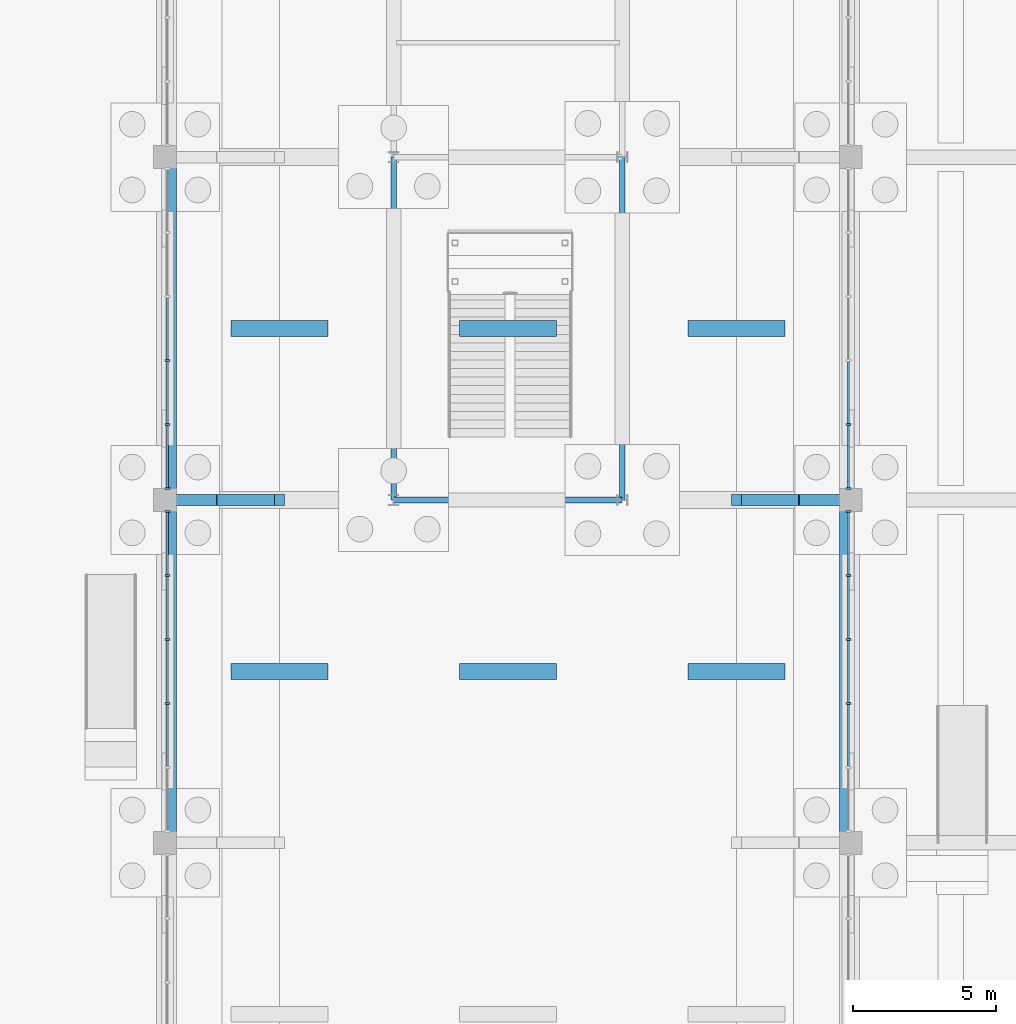
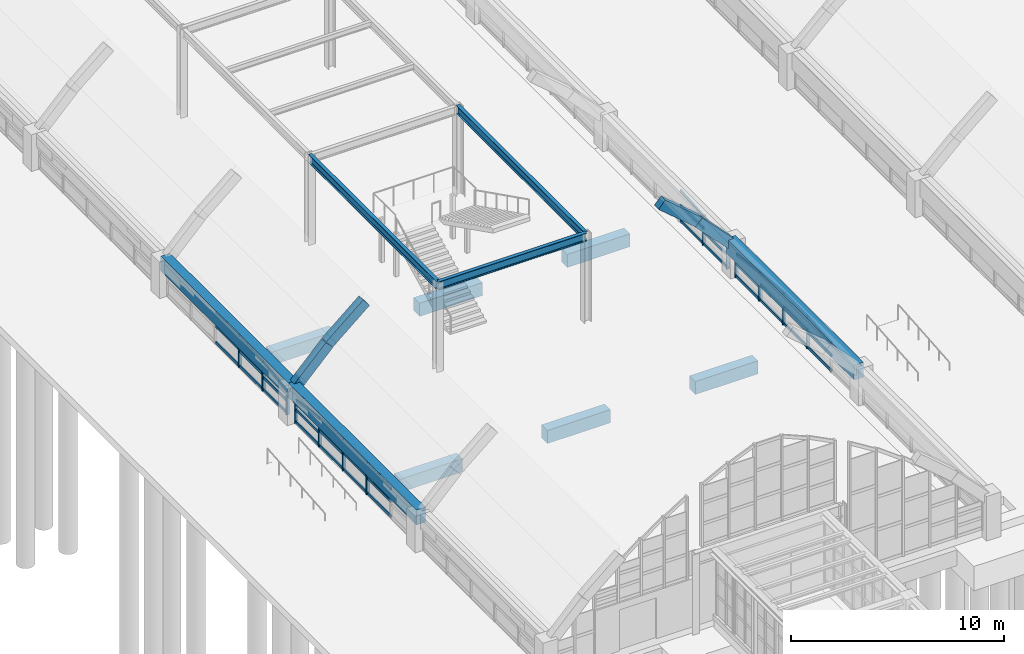
# One storey, part 42 of 129: 52 members, 16 beams, 4 elements without a shape of their own.
"""IFC4 building model written with IfcOpenShell, lengths in metres."""

from ifc_helpers import new_model, si_unit, direction, frame, origin, origin_2d, place, context, subcontext, project, spatial, rectangle, i_section, extrude, material, layer, layer_set, material_profile, profile_set, type_object, element, aggregate, save


model = new_model("IFC4")

# Units and contexts
model_context = context("Model", 3, precision=1e-05, world=origin(), true_north=direction((0.0, 1.0)))
body_context = subcontext(model_context, "Body", "Model", "MODEL_VIEW")
ifc_project = project(units=[si_unit("LENGTHUNIT", "METRE"), si_unit("AREAUNIT", "SQUARE_METRE"), si_unit("VOLUMEUNIT", "CUBIC_METRE"), si_unit("PLANEANGLEUNIT", "RADIAN"), si_unit("MASSUNIT", "GRAM", prefix="KILO")], contexts=[model_context])

# Site, building, storey
site_placement = place(None, origin())
site = spatial("IfcSite", under=ifc_project, at=site_placement, CompositionType="ELEMENT")
building_placement = place(site_placement, origin())
building = spatial("IfcBuilding", under=site, at=building_placement, Name="Sitalva Quay Ferry Terminal", CompositionType="ELEMENT")
storey_placement = place(building_placement, origin())
storey = spatial("IfcBuildingStorey", under=building, at=storey_placement, Name="L01", CompositionType="ELEMENT", Elevation=0.0)

# Beams
ifc_material_1 = material(Name="Concrete C40/50", Category="concrete")
ifc_material_profile_1 = material_profile(ifc_material_1, rectangle(XDim=0.39990234375, YDim=0.550048828125, at=origin_2d()), Name="RC400x550")
ifc_profile_set_1 = profile_set([ifc_material_profile_1], Name="Concrete C40/50")
beam_type_1 = type_object("IfcBeamType", Name="Beam_Arch_RC400x550", PredefinedType="BEAM", material=ifc_profile_set_1)
beam_1_placement = place(storey_placement, frame((8.0, 30.0, 1.594482421875), z_axis=(0.693983482825, 0.0, 0.719990920475), x_axis=(0.0, 1.0, 0.0)))
element("IfcBeam", 1, at=beam_1_placement, inside=storey, type_object=beam_type_1, Name="Vault V2 transverse arch rib 3.1", PredefinedType="BEAM", context=body_context, shape_type="SweptSolid", body=[
    extrude(rectangle(XDim=0.39990234375, YDim=0.550048828125, at=origin_2d()), origin(), (0.0, 0.0, 1.0), 2.8818359375),
])
for number, where, z_axis, x_axis, name in (
    (2, (10.0, 30.0, 3.689697265625), (0.761351968138, 0.0, 0.648338785368), (0.0, 1.0, 0.0), "Vault V2 transverse arch rib 3.2"),
    (3, (28.0, 30.0, 5.392822265625), (0.761351968138, 0.0, -0.648338785368), (0.0, 1.0, 0.0), "Vault V2 transverse arch rib 3.11"),
):
    element("IfcBeam", number, at=place(storey_placement, frame(where, z_axis=z_axis, x_axis=x_axis)), inside=storey, type_object=beam_type_1, Name=name, PredefinedType="BEAM", context=body_context, shape_type="SweptSolid", body=[
        extrude(rectangle(XDim=0.39990234375, YDim=0.550048828125, at=origin_2d()), origin(), (0.0, 0.0, 1.0), 2.626953125),
    ])
beam_2_placement = place(storey_placement, frame((30.0, 30.0, 3.66943359375), z_axis=(0.693983482825, 0.0, -0.719990920475), x_axis=(0.0, 1.0, 0.0)))
element("IfcBeam", 4, at=beam_2_placement, inside=storey, type_object=beam_type_1, Name="Vault V2 transverse arch rib 3.12", PredefinedType="BEAM", context=body_context, shape_type="SweptSolid", body=[
    extrude(rectangle(XDim=0.39990234375, YDim=0.550048828125, at=origin_2d()), origin(), (0.0, 0.0, 1.0), 2.8818359375),
])
ifc_material_2 = material(Name="Concrete C40/50", Category="concrete")
ifc_material_profile_2 = material_profile(ifc_material_2, rectangle(XDim=0.5, YDim=0.85009765625, at=origin_2d()), Name="RC500x850")
ifc_profile_set_2 = profile_set([ifc_material_profile_2], Name="Concrete C40/50")
beam_type_2 = type_object("IfcBeamType", Name="Beam_Edge_RC500x850", PredefinedType="BEAM", material=ifc_profile_set_2)
for number, where, z_axis, x_axis, name in (
    (5, (8.14990234375, 18.0, 1.675048828125), (0.0, 1.0, 0.0), (-1.0, 0.0, 0.0), "Vault V2 longitudinal springing edge beam W bay 2"),
    (6, (8.14990234375, 30.0, 1.675048828125), (0.0, 1.0, 0.0), (-1.0, 0.0, 0.0), "Vault V2 longitudinal springing edge beam W bay 3"),
    (7, (31.85009765625, 18.0, 1.675048828125), (0.0, 1.0, 0.0), (-1.0, 0.0, 0.0), "Vault V2 longitudinal springing edge beam E bay 2"),
):
    element("IfcBeam", number, at=place(storey_placement, frame(where, z_axis=z_axis, x_axis=x_axis)), inside=storey, type_object=beam_type_2, Name=name, PredefinedType="BEAM", context=body_context, shape_type="SweptSolid", body=[
        extrude(rectangle(XDim=0.5, YDim=0.85009765625, at=origin_2d()), origin(), (0.0, 0.0, 1.0), 12.0),
    ])
ifc_material_3 = material(Name="Structural Steel S355JR", Category="steel")
ifc_material_profile_3 = material_profile(ifc_material_3, i_section(OverallWidth=0.194091796875, OverallDepth=0.468994140625, WebThickness=0.0126953125, FlangeThickness=0.0205078125, FilletRadius=0.013916015625, at=origin_2d()), Name="W460x106")
ifc_profile_set_3 = profile_set([ifc_material_profile_3], Name="Structural Steel S355JR")
beam_type_3 = type_object("IfcBeamType", Name="Girder_W460x106", PredefinedType="USERDEFINED", material=ifc_profile_set_3)
beam_3_placement = place(storey_placement, frame((16.0, 30.0, 4.885498046875), z_axis=(1.0, 0.0, 0.0), x_axis=(0.0, 1.0, 0.0)))
element("IfcBeam", 8, at=beam_3_placement, inside=storey, type_object=beam_type_3, Name="L01 Primary X girder 0111", ObjectType="GIRDER", PredefinedType="USERDEFINED", context=body_context, shape_type="SweptSolid", body=[
    extrude(i_section(OverallWidth=0.194091796875, OverallDepth=0.468994140625, WebThickness=0.0126953125, FlangeThickness=0.0205078125, FilletRadius=0.013916015625, at=origin_2d()), origin(), (0.0, 0.0, 1.0), 8.0),
])
for number, where, z_axis, x_axis, name in (
    (9, (16.0, 30.0, 4.885498046875), (0.0, 1.0, 0.0), (-1.0, 0.0, 0.0), "L01 Primary Y girder 0116"),
    (10, (24.0, 30.0, 4.885498046875), (0.0, 1.0, 0.0), (-1.0, 0.0, 0.0), "L01 Primary Y girder 0120"),
):
    element("IfcBeam", number, at=place(storey_placement, frame(where, z_axis=z_axis, x_axis=x_axis)), inside=storey, type_object=beam_type_3, Name=name, ObjectType="GIRDER", PredefinedType="USERDEFINED", context=body_context, shape_type="SweptSolid", body=[
        extrude(i_section(OverallWidth=0.194091796875, OverallDepth=0.468994140625, WebThickness=0.0126953125, FlangeThickness=0.0205078125, FilletRadius=0.013916015625, at=origin_2d()), origin(), (0.0, 0.0, 1.0), 12.0),
    ])

# Curtain wall, members
ifc_material_4 = material(Name="Anodised Aluminium & Low-E Glazing", Category="aluminium")
ifc_layer = layer(ifc_material_4, 0.159912109375)
ifc_layer_set = layer_set([ifc_layer], Name="Anodised Aluminium & Low-E Glazing")
curtain_wall_type = type_object("IfcCurtainWallType", Name="CW_VaultArch_Glazed", PredefinedType="USERDEFINED", material=ifc_layer_set)
curtain_wall_1_placement = place(storey_placement, origin())
curtain_wall_1 = element("IfcCurtainWall", 11, at=curtain_wall_1_placement, inside=storey, type_object=curtain_wall_type, Name="V2-W shallow-arch base glazing (CW-L01-015)", ObjectType="CURTAIN_WALL", PredefinedType="USERDEFINED")
ifc_material_5 = material(Name="Anodised Aluminium 6063-T6", Category="aluminium")
ifc_material_profile_4 = material_profile(ifc_material_5, rectangle(XDim=0.070068359375, YDim=0.181884765625, at=origin_2d()), Name="ALU70x182")
ifc_profile_set_4 = profile_set([ifc_material_profile_4], Name="Anodised Aluminium 6063-T6")
member_type_1 = type_object("IfcMemberType", Name="Mullion_Alu_65x170", PredefinedType="MULLION", material=ifc_profile_set_4)
member_1_placement = place(storey_placement, frame((8.080078125, 22.8798828125, 0.0), z_axis=(0.0, 0.0, 1.0), x_axis=(0.0, 1.0, 0.0)))
member_1 = element("IfcMember", 12, at=member_1_placement, type_object=member_type_1, Name="CW-L01-015-M2", PredefinedType="MULLION", context=body_context, shape_type="SweptSolid", body=[
    extrude(rectangle(XDim=0.070068359375, YDim=0.181884765625, at=origin_2d()), origin(), (0.0, 0.0, 1.0), 1.86083984375),
])
member_2_placement = place(storey_placement, frame((8.080078125, 25.1201171875, 0.0), z_axis=(0.0, 0.0, 1.0), x_axis=(0.0, 1.0, 0.0)))
member_2 = element("IfcMember", 13, at=member_2_placement, type_object=member_type_1, Name="CW-L01-015-M3", PredefinedType="MULLION", context=body_context, shape_type="SweptSolid", body=[
    extrude(rectangle(XDim=0.070068359375, YDim=0.181884765625, at=origin_2d()), origin(), (0.0, 0.0, 1.0), 1.86083984375),
])
member_3_placement = place(storey_placement, frame((8.080078125, 27.360107421875, 0.0), z_axis=(0.0, 0.0, 1.0), x_axis=(0.0, 1.0, 0.0)))
member_3 = element("IfcMember", 14, at=member_3_placement, type_object=member_type_1, Name="CW-L01-015-M4", PredefinedType="MULLION", context=body_context, shape_type="SweptSolid", body=[
    extrude(rectangle(XDim=0.070068359375, YDim=0.181884765625, at=origin_2d()), origin(), (0.0, 0.0, 1.0), 1.707275390625),
])
member_4_placement = place(storey_placement, frame((8.080078125, 29.60009765625, 0.0), z_axis=(0.0, 0.0, 1.0), x_axis=(0.0, 1.0, 0.0)))
member_4 = element("IfcMember", 15, at=member_4_placement, type_object=member_type_1, Name="CW-L01-015-M5", PredefinedType="MULLION", context=body_context, shape_type="SweptSolid", body=[
    extrude(rectangle(XDim=0.070068359375, YDim=0.181884765625, at=origin_2d()), origin(), (0.0, 0.0, 1.0), 1.39990234375),
])

curtain_wall_2_placement = place(storey_placement, origin())
curtain_wall_2 = element("IfcCurtainWall", 16, at=curtain_wall_2_placement, inside=storey, type_object=curtain_wall_type, Name="V2-E shallow-arch base glazing (CW-L01-016)", ObjectType="CURTAIN_WALL", PredefinedType="USERDEFINED")
member_5_placement = place(storey_placement, frame((31.919921875, 22.8798828125, 0.0), z_axis=(0.0, 0.0, 1.0), x_axis=(0.0, 1.0, 0.0)))
member_5 = element("IfcMember", 17, at=member_5_placement, type_object=member_type_1, Name="CW-L01-016-M2", PredefinedType="MULLION", context=body_context, shape_type="SweptSolid", body=[
    extrude(rectangle(XDim=0.070068359375, YDim=0.181884765625, at=origin_2d()), origin(), (0.0, 0.0, 1.0), 1.86083984375),
])
member_6_placement = place(storey_placement, frame((31.919921875, 25.1201171875, 0.0), z_axis=(0.0, 0.0, 1.0), x_axis=(0.0, 1.0, 0.0)))
member_6 = element("IfcMember", 18, at=member_6_placement, type_object=member_type_1, Name="CW-L01-016-M3", PredefinedType="MULLION", context=body_context, shape_type="SweptSolid", body=[
    extrude(rectangle(XDim=0.070068359375, YDim=0.181884765625, at=origin_2d()), origin(), (0.0, 0.0, 1.0), 1.86083984375),
])
member_7_placement = place(storey_placement, frame((31.919921875, 27.360107421875, 0.0), z_axis=(0.0, 0.0, 1.0), x_axis=(0.0, 1.0, 0.0)))
member_7 = element("IfcMember", 19, at=member_7_placement, type_object=member_type_1, Name="CW-L01-016-M4", PredefinedType="MULLION", context=body_context, shape_type="SweptSolid", body=[
    extrude(rectangle(XDim=0.070068359375, YDim=0.181884765625, at=origin_2d()), origin(), (0.0, 0.0, 1.0), 1.707275390625),
])
member_8_placement = place(storey_placement, frame((31.919921875, 29.60009765625, 0.0), z_axis=(0.0, 0.0, 1.0), x_axis=(0.0, 1.0, 0.0)))
member_8 = element("IfcMember", 20, at=member_8_placement, type_object=member_type_1, Name="CW-L01-016-M5", PredefinedType="MULLION", context=body_context, shape_type="SweptSolid", body=[
    extrude(rectangle(XDim=0.070068359375, YDim=0.181884765625, at=origin_2d()), origin(), (0.0, 0.0, 1.0), 1.39990234375),
])

curtain_wall_3_placement = place(storey_placement, origin())
curtain_wall_3 = element("IfcCurtainWall", 21, at=curtain_wall_3_placement, inside=storey, type_object=curtain_wall_type, Name="V2-W shallow-arch base glazing (CW-L01-018)", ObjectType="CURTAIN_WALL", PredefinedType="USERDEFINED")
member_9_placement = place(storey_placement, frame((8.080078125, 30.39990234375, 0.0), z_axis=(0.0, 0.0, 1.0), x_axis=(0.0, 1.0, 0.0)))
member_9 = element("IfcMember", 22, at=member_9_placement, type_object=member_type_1, Name="CW-L01-018-M0", PredefinedType="MULLION", context=body_context, shape_type="SweptSolid", body=[
    extrude(rectangle(XDim=0.070068359375, YDim=0.181884765625, at=origin_2d()), origin(), (0.0, 0.0, 1.0), 1.39990234375),
])
member_10_placement = place(storey_placement, frame((8.080078125, 32.639892578125, 0.0), z_axis=(0.0, 0.0, 1.0), x_axis=(0.0, 1.0, 0.0)))
member_10 = element("IfcMember", 23, at=member_10_placement, type_object=member_type_1, Name="CW-L01-018-M1", PredefinedType="MULLION", context=body_context, shape_type="SweptSolid", body=[
    extrude(rectangle(XDim=0.070068359375, YDim=0.181884765625, at=origin_2d()), origin(), (0.0, 0.0, 1.0), 1.707275390625),
])
member_11_placement = place(storey_placement, frame((8.080078125, 34.8798828125, 0.0), z_axis=(0.0, 0.0, 1.0), x_axis=(0.0, 1.0, 0.0)))
member_11 = element("IfcMember", 24, at=member_11_placement, type_object=member_type_1, Name="CW-L01-018-M2", PredefinedType="MULLION", context=body_context, shape_type="SweptSolid", body=[
    extrude(rectangle(XDim=0.070068359375, YDim=0.181884765625, at=origin_2d()), origin(), (0.0, 0.0, 1.0), 1.86083984375),
])

curtain_wall_4_placement = place(storey_placement, origin())
curtain_wall_4 = element("IfcCurtainWall", 25, at=curtain_wall_4_placement, inside=storey, type_object=curtain_wall_type, Name="V2-E shallow-arch base glazing (CW-L01-019)", ObjectType="CURTAIN_WALL", PredefinedType="USERDEFINED")
member_12_placement = place(storey_placement, frame((31.919921875, 30.39990234375, 0.0), z_axis=(0.0, 0.0, 1.0), x_axis=(0.0, 1.0, 0.0)))
member_12 = element("IfcMember", 26, at=member_12_placement, type_object=member_type_1, Name="CW-L01-019-M0", PredefinedType="MULLION", context=body_context, shape_type="SweptSolid", body=[
    extrude(rectangle(XDim=0.070068359375, YDim=0.181884765625, at=origin_2d()), origin(), (0.0, 0.0, 1.0), 1.39990234375),
])
member_13_placement = place(storey_placement, frame((31.919921875, 32.639892578125, 0.0), z_axis=(0.0, 0.0, 1.0), x_axis=(0.0, 1.0, 0.0)))
member_13 = element("IfcMember", 27, at=member_13_placement, type_object=member_type_1, Name="CW-L01-019-M1", PredefinedType="MULLION", context=body_context, shape_type="SweptSolid", body=[
    extrude(rectangle(XDim=0.070068359375, YDim=0.181884765625, at=origin_2d()), origin(), (0.0, 0.0, 1.0), 1.707275390625),
])

# Beams
ifc_material_6 = material(Name="Concrete C35/45", Category="concrete")
ifc_material_profile_5 = material_profile(ifc_material_6, rectangle(XDim=0.550048828125, YDim=0.75, at=origin_2d()), Name="RC550x750")
ifc_profile_set_5 = profile_set([ifc_material_profile_5], Name="Concrete C35/45")
beam_type_4 = type_object("IfcBeamType", Name="TBeam_Quay_RC550x750", PredefinedType="T_BEAM", material=ifc_profile_set_5)
for number, where, z_axis, x_axis, name in (
    (28, (10.300048828125, 24.0, -0.824951171875), (1.0, 0.0, 0.0), (0.0, 1.0, 0.0), "L01 Quay deck mid-bay T-beam 0048"),
    (29, (18.300048828125, 24.0, -0.824951171875), (1.0, 0.0, 0.0), (0.0, 1.0, 0.0), "L01 Quay deck mid-bay T-beam 0049"),
    (30, (26.300048828125, 24.0, -0.824951171875), (1.0, 0.0, 0.0), (0.0, 1.0, 0.0), "L01 Quay deck mid-bay T-beam 0050"),
    (31, (10.300048828125, 36.0, -0.824951171875), (1.0, 0.0, 0.0), (0.0, 1.0, 0.0), "L01 Quay deck mid-bay T-beam 0060"),
    (32, (18.300048828125, 36.0, -0.824951171875), (1.0, 0.0, 0.0), (0.0, 1.0, 0.0), "L01 Quay deck mid-bay T-beam 0061"),
    (33, (26.300048828125, 36.0, -0.824951171875), (1.0, 0.0, 0.0), (0.0, 1.0, 0.0), "L01 Quay deck mid-bay T-beam 0062"),
):
    element("IfcBeam", number, at=place(storey_placement, frame(where, z_axis=z_axis, x_axis=x_axis)), inside=storey, type_object=beam_type_4, Name=name, PredefinedType="T_BEAM", context=body_context, shape_type="SweptSolid", body=[
        extrude(rectangle(XDim=0.550048828125, YDim=0.75, at=origin_2d()), origin(), (0.0, 0.0, 1.0), 3.39990234375),
    ])

# Member
ifc_material_7 = material(Name="Anodised Aluminium 6063-T6", Category="aluminium")
ifc_material_profile_6 = material_profile(ifc_material_7, rectangle(XDim=0.074951171875, YDim=0.155029296875, at=origin_2d()), Name="ALU75x155")
ifc_profile_set_6 = profile_set([ifc_material_profile_6], Name="Anodised Aluminium 6063-T6")
member_type_2 = type_object("IfcMemberType", Name="Transom_Alu_70x135", PredefinedType="MULLION", material=ifc_profile_set_6)
member_14_placement = place(storey_placement, frame((8.080078125, 20.675048828125, 0.077392578125), z_axis=(0.0, 1.0, 0.0), x_axis=(-1.0, 0.0, 0.0)))
member_14 = element("IfcMember", 34, at=member_14_placement, type_object=member_type_2, Name="CW-L01-015-T1-0", ObjectType="TRANSOM", PredefinedType="USERDEFINED", context=body_context, shape_type="SweptSolid", body=[
    extrude(rectangle(XDim=0.074951171875, YDim=0.155029296875, at=origin_2d()), origin(), (0.0, 0.0, 1.0), 2.169921875),
])

member_15_placement = place(storey_placement, frame((8.080078125, 20.675048828125, 0.93115234375), z_axis=(0.0, 1.0, 0.0), x_axis=(-1.0, 0.0, 0.0)))
member_15 = element("IfcMember", 35, at=member_15_placement, type_object=member_type_2, Name="CW-L01-015-T1-1", ObjectType="TRANSOM", PredefinedType="USERDEFINED", context=body_context, shape_type="SweptSolid", body=[
    extrude(rectangle(XDim=0.074951171875, YDim=0.155029296875, at=origin_2d()), origin(), (0.0, 0.0, 1.0), 2.169921875),
])

member_16_placement = place(storey_placement, frame((8.080078125, 20.675048828125, 1.629638671875), z_axis=(0.0, 0.997505200677, 0.070593021065), x_axis=(-1.0, 0.0, 0.0)))
member_16 = element("IfcMember", 36, at=member_16_placement, type_object=member_type_2, Name="CW-L01-015-T1-2", ObjectType="TRANSOM", PredefinedType="USERDEFINED", context=body_context, shape_type="SweptSolid", body=[
    extrude(rectangle(XDim=0.074951171875, YDim=0.155029296875, at=origin_2d()), origin(), (0.0, 0.0, 1.0), 2.17529296875),
])

member_17_placement = place(storey_placement, frame((8.080078125, 22.9150390625, 0.077392578125), z_axis=(0.0, 1.0, 0.0), x_axis=(-1.0, 0.0, 0.0)))
member_17 = element("IfcMember", 37, at=member_17_placement, type_object=member_type_2, Name="CW-L01-015-T2-0", ObjectType="TRANSOM", PredefinedType="USERDEFINED", context=body_context, shape_type="SweptSolid", body=[
    extrude(rectangle(XDim=0.074951171875, YDim=0.155029296875, at=origin_2d()), origin(), (0.0, 0.0, 1.0), 2.169921875),
])

member_18_placement = place(storey_placement, frame((8.080078125, 22.9150390625, 1.0078125), z_axis=(0.0, 1.0, 0.0), x_axis=(-1.0, 0.0, 0.0)))
member_18 = element("IfcMember", 38, at=member_18_placement, type_object=member_type_2, Name="CW-L01-015-T2-1", ObjectType="TRANSOM", PredefinedType="USERDEFINED", context=body_context, shape_type="SweptSolid", body=[
    extrude(rectangle(XDim=0.074951171875, YDim=0.155029296875, at=origin_2d()), origin(), (0.0, 0.0, 1.0), 2.169921875),
])

member_19_placement = place(storey_placement, frame((8.080078125, 22.9150390625, 1.783203125), z_axis=(0.0, 1.0, 0.0), x_axis=(-1.0, 0.0, 0.0)))
member_19 = element("IfcMember", 39, at=member_19_placement, type_object=member_type_2, Name="CW-L01-015-T2-2", ObjectType="TRANSOM", PredefinedType="USERDEFINED", context=body_context, shape_type="SweptSolid", body=[
    extrude(rectangle(XDim=0.074951171875, YDim=0.155029296875, at=origin_2d()), origin(), (0.0, 0.0, 1.0), 2.169921875),
])

member_20_placement = place(storey_placement, frame((8.080078125, 25.155029296875, 0.077392578125), z_axis=(0.0, 1.0, 0.0), x_axis=(-1.0, 0.0, 0.0)))
member_20 = element("IfcMember", 40, at=member_20_placement, type_object=member_type_2, Name="CW-L01-015-T3-0", ObjectType="TRANSOM", PredefinedType="USERDEFINED", context=body_context, shape_type="SweptSolid", body=[
    extrude(rectangle(XDim=0.074951171875, YDim=0.155029296875, at=origin_2d()), origin(), (0.0, 0.0, 1.0), 2.169921875),
])

member_21_placement = place(storey_placement, frame((8.080078125, 25.155029296875, 0.93115234375), z_axis=(0.0, 1.0, 0.0), x_axis=(-1.0, 0.0, 0.0)))
member_21 = element("IfcMember", 41, at=member_21_placement, type_object=member_type_2, Name="CW-L01-015-T3-1", ObjectType="TRANSOM", PredefinedType="USERDEFINED", context=body_context, shape_type="SweptSolid", body=[
    extrude(rectangle(XDim=0.074951171875, YDim=0.155029296875, at=origin_2d()), origin(), (0.0, 0.0, 1.0), 2.169921875),
])

member_22_placement = place(storey_placement, frame((8.080078125, 25.155029296875, 1.783203125), z_axis=(0.0, 0.997505200677, -0.070593021065), x_axis=(-1.0, 0.0, 0.0)))
member_22 = element("IfcMember", 42, at=member_22_placement, type_object=member_type_2, Name="CW-L01-015-T3-2", ObjectType="TRANSOM", PredefinedType="USERDEFINED", context=body_context, shape_type="SweptSolid", body=[
    extrude(rectangle(XDim=0.074951171875, YDim=0.155029296875, at=origin_2d()), origin(), (0.0, 0.0, 1.0), 2.17529296875),
])

member_23_placement = place(storey_placement, frame((8.080078125, 27.39501953125, 0.077392578125), z_axis=(0.0, 1.0, 0.0), x_axis=(-1.0, 0.0, 0.0)))
member_23 = element("IfcMember", 43, at=member_23_placement, type_object=member_type_2, Name="CW-L01-015-T4-0", ObjectType="TRANSOM", PredefinedType="USERDEFINED", context=body_context, shape_type="SweptSolid", body=[
    extrude(rectangle(XDim=0.074951171875, YDim=0.155029296875, at=origin_2d()), origin(), (0.0, 0.0, 1.0), 2.169921875),
])

member_24_placement = place(storey_placement, frame((8.080078125, 27.39501953125, 0.777587890625), z_axis=(0.0, 1.0, 0.0), x_axis=(-1.0, 0.0, 0.0)))
member_24 = element("IfcMember", 44, at=member_24_placement, type_object=member_type_2, Name="CW-L01-015-T4-1", ObjectType="TRANSOM", PredefinedType="USERDEFINED", context=body_context, shape_type="SweptSolid", body=[
    extrude(rectangle(XDim=0.074951171875, YDim=0.155029296875, at=origin_2d()), origin(), (0.0, 0.0, 1.0), 2.169921875),
])

member_25_placement = place(storey_placement, frame((8.080078125, 27.39501953125, 1.629638671875), z_axis=(0.0, 0.990131365095, -0.140142355681), x_axis=(-1.0, 0.0, 0.0)))
member_25 = element("IfcMember", 45, at=member_25_placement, type_object=member_type_2, Name="CW-L01-015-T4-2", ObjectType="TRANSOM", PredefinedType="USERDEFINED", context=body_context, shape_type="SweptSolid", body=[
    extrude(rectangle(XDim=0.074951171875, YDim=0.155029296875, at=origin_2d()), origin(), (0.0, 0.0, 1.0), 2.191650390625),
])

aggregate(curtain_wall_1, [member_1, member_2, member_3, member_4, member_14, member_15, member_16, member_17, member_18, member_19, member_20, member_21, member_22, member_23, member_24, member_25])

member_26_placement = place(storey_placement, frame((31.919921875, 20.675048828125, 0.077392578125), z_axis=(0.0, 1.0, 0.0), x_axis=(-1.0, 0.0, 0.0)))
member_26 = element("IfcMember", 46, at=member_26_placement, type_object=member_type_2, Name="CW-L01-016-T1-0", ObjectType="TRANSOM", PredefinedType="USERDEFINED", context=body_context, shape_type="SweptSolid", body=[
    extrude(rectangle(XDim=0.074951171875, YDim=0.155029296875, at=origin_2d()), origin(), (0.0, 0.0, 1.0), 2.169921875),
])

member_27_placement = place(storey_placement, frame((31.919921875, 20.675048828125, 0.93115234375), z_axis=(0.0, 1.0, 0.0), x_axis=(-1.0, 0.0, 0.0)))
member_27 = element("IfcMember", 47, at=member_27_placement, type_object=member_type_2, Name="CW-L01-016-T1-1", ObjectType="TRANSOM", PredefinedType="USERDEFINED", context=body_context, shape_type="SweptSolid", body=[
    extrude(rectangle(XDim=0.074951171875, YDim=0.155029296875, at=origin_2d()), origin(), (0.0, 0.0, 1.0), 2.169921875),
])

member_28_placement = place(storey_placement, frame((31.919921875, 20.675048828125, 1.629638671875), z_axis=(0.0, 0.997505200677, 0.070593021065), x_axis=(-1.0, 0.0, 0.0)))
member_28 = element("IfcMember", 48, at=member_28_placement, type_object=member_type_2, Name="CW-L01-016-T1-2", ObjectType="TRANSOM", PredefinedType="USERDEFINED", context=body_context, shape_type="SweptSolid", body=[
    extrude(rectangle(XDim=0.074951171875, YDim=0.155029296875, at=origin_2d()), origin(), (0.0, 0.0, 1.0), 2.17529296875),
])

member_29_placement = place(storey_placement, frame((31.919921875, 22.9150390625, 0.077392578125), z_axis=(0.0, 1.0, 0.0), x_axis=(-1.0, 0.0, 0.0)))
member_29 = element("IfcMember", 49, at=member_29_placement, type_object=member_type_2, Name="CW-L01-016-T2-0", ObjectType="TRANSOM", PredefinedType="USERDEFINED", context=body_context, shape_type="SweptSolid", body=[
    extrude(rectangle(XDim=0.074951171875, YDim=0.155029296875, at=origin_2d()), origin(), (0.0, 0.0, 1.0), 2.169921875),
])

member_30_placement = place(storey_placement, frame((31.919921875, 22.9150390625, 1.0078125), z_axis=(0.0, 1.0, 0.0), x_axis=(-1.0, 0.0, 0.0)))
member_30 = element("IfcMember", 50, at=member_30_placement, type_object=member_type_2, Name="CW-L01-016-T2-1", ObjectType="TRANSOM", PredefinedType="USERDEFINED", context=body_context, shape_type="SweptSolid", body=[
    extrude(rectangle(XDim=0.074951171875, YDim=0.155029296875, at=origin_2d()), origin(), (0.0, 0.0, 1.0), 2.169921875),
])

member_31_placement = place(storey_placement, frame((31.919921875, 22.9150390625, 1.783203125), z_axis=(0.0, 1.0, 0.0), x_axis=(-1.0, 0.0, 0.0)))
member_31 = element("IfcMember", 51, at=member_31_placement, type_object=member_type_2, Name="CW-L01-016-T2-2", ObjectType="TRANSOM", PredefinedType="USERDEFINED", context=body_context, shape_type="SweptSolid", body=[
    extrude(rectangle(XDim=0.074951171875, YDim=0.155029296875, at=origin_2d()), origin(), (0.0, 0.0, 1.0), 2.169921875),
])

member_32_placement = place(storey_placement, frame((31.919921875, 25.155029296875, 0.077392578125), z_axis=(0.0, 1.0, 0.0), x_axis=(-1.0, 0.0, 0.0)))
member_32 = element("IfcMember", 52, at=member_32_placement, type_object=member_type_2, Name="CW-L01-016-T3-0", ObjectType="TRANSOM", PredefinedType="USERDEFINED", context=body_context, shape_type="SweptSolid", body=[
    extrude(rectangle(XDim=0.074951171875, YDim=0.155029296875, at=origin_2d()), origin(), (0.0, 0.0, 1.0), 2.169921875),
])

member_33_placement = place(storey_placement, frame((31.919921875, 25.155029296875, 0.93115234375), z_axis=(0.0, 1.0, 0.0), x_axis=(-1.0, 0.0, 0.0)))
member_33 = element("IfcMember", 53, at=member_33_placement, type_object=member_type_2, Name="CW-L01-016-T3-1", ObjectType="TRANSOM", PredefinedType="USERDEFINED", context=body_context, shape_type="SweptSolid", body=[
    extrude(rectangle(XDim=0.074951171875, YDim=0.155029296875, at=origin_2d()), origin(), (0.0, 0.0, 1.0), 2.169921875),
])

member_34_placement = place(storey_placement, frame((31.919921875, 25.155029296875, 1.783203125), z_axis=(0.0, 0.997505200677, -0.070593021065), x_axis=(-1.0, 0.0, 0.0)))
member_34 = element("IfcMember", 54, at=member_34_placement, type_object=member_type_2, Name="CW-L01-016-T3-2", ObjectType="TRANSOM", PredefinedType="USERDEFINED", context=body_context, shape_type="SweptSolid", body=[
    extrude(rectangle(XDim=0.074951171875, YDim=0.155029296875, at=origin_2d()), origin(), (0.0, 0.0, 1.0), 2.17529296875),
])

member_35_placement = place(storey_placement, frame((31.919921875, 27.39501953125, 0.077392578125), z_axis=(0.0, 1.0, 0.0), x_axis=(-1.0, 0.0, 0.0)))
member_35 = element("IfcMember", 55, at=member_35_placement, type_object=member_type_2, Name="CW-L01-016-T4-0", ObjectType="TRANSOM", PredefinedType="USERDEFINED", context=body_context, shape_type="SweptSolid", body=[
    extrude(rectangle(XDim=0.074951171875, YDim=0.155029296875, at=origin_2d()), origin(), (0.0, 0.0, 1.0), 2.169921875),
])

member_36_placement = place(storey_placement, frame((31.919921875, 27.39501953125, 0.777587890625), z_axis=(0.0, 1.0, 0.0), x_axis=(-1.0, 0.0, 0.0)))
member_36 = element("IfcMember", 56, at=member_36_placement, type_object=member_type_2, Name="CW-L01-016-T4-1", ObjectType="TRANSOM", PredefinedType="USERDEFINED", context=body_context, shape_type="SweptSolid", body=[
    extrude(rectangle(XDim=0.074951171875, YDim=0.155029296875, at=origin_2d()), origin(), (0.0, 0.0, 1.0), 2.169921875),
])

member_37_placement = place(storey_placement, frame((31.919921875, 27.39501953125, 1.629638671875), z_axis=(0.0, 0.990131365095, -0.140142355681), x_axis=(-1.0, 0.0, 0.0)))
member_37 = element("IfcMember", 57, at=member_37_placement, type_object=member_type_2, Name="CW-L01-016-T4-2", ObjectType="TRANSOM", PredefinedType="USERDEFINED", context=body_context, shape_type="SweptSolid", body=[
    extrude(rectangle(XDim=0.074951171875, YDim=0.155029296875, at=origin_2d()), origin(), (0.0, 0.0, 1.0), 2.191650390625),
])

aggregate(curtain_wall_2, [member_5, member_6, member_7, member_8, member_26, member_27, member_28, member_29, member_30, member_31, member_32, member_33, member_34, member_35, member_36, member_37])

member_38_placement = place(storey_placement, frame((8.080078125, 30.43505859375, 0.077392578125), z_axis=(0.0, 1.0, 0.0), x_axis=(-1.0, 0.0, 0.0)))
member_38 = element("IfcMember", 58, at=member_38_placement, type_object=member_type_2, Name="CW-L01-018-T0-0", ObjectType="TRANSOM", PredefinedType="USERDEFINED", context=body_context, shape_type="SweptSolid", body=[
    extrude(rectangle(XDim=0.074951171875, YDim=0.155029296875, at=origin_2d()), origin(), (0.0, 0.0, 1.0), 2.169921875),
])

member_39_placement = place(storey_placement, frame((8.080078125, 30.43505859375, 0.777587890625), z_axis=(0.0, 1.0, 0.0), x_axis=(-1.0, 0.0, 0.0)))
member_39 = element("IfcMember", 59, at=member_39_placement, type_object=member_type_2, Name="CW-L01-018-T0-1", ObjectType="TRANSOM", PredefinedType="USERDEFINED", context=body_context, shape_type="SweptSolid", body=[
    extrude(rectangle(XDim=0.074951171875, YDim=0.155029296875, at=origin_2d()), origin(), (0.0, 0.0, 1.0), 2.169921875),
])

member_40_placement = place(storey_placement, frame((8.080078125, 30.43505859375, 1.322509765625), z_axis=(0.0, 0.990131365095, 0.140142355681), x_axis=(-1.0, 0.0, 0.0)))
member_40 = element("IfcMember", 60, at=member_40_placement, type_object=member_type_2, Name="CW-L01-018-T0-2", ObjectType="TRANSOM", PredefinedType="USERDEFINED", context=body_context, shape_type="SweptSolid", body=[
    extrude(rectangle(XDim=0.074951171875, YDim=0.155029296875, at=origin_2d()), origin(), (0.0, 0.0, 1.0), 2.191650390625),
])

member_41_placement = place(storey_placement, frame((8.080078125, 32.675048828125, 0.077392578125), z_axis=(0.0, 1.0, 0.0), x_axis=(-1.0, 0.0, 0.0)))
member_41 = element("IfcMember", 61, at=member_41_placement, type_object=member_type_2, Name="CW-L01-018-T1-0", ObjectType="TRANSOM", PredefinedType="USERDEFINED", context=body_context, shape_type="SweptSolid", body=[
    extrude(rectangle(XDim=0.074951171875, YDim=0.155029296875, at=origin_2d()), origin(), (0.0, 0.0, 1.0), 2.169921875),
])

member_42_placement = place(storey_placement, frame((8.080078125, 32.675048828125, 0.93115234375), z_axis=(0.0, 1.0, 0.0), x_axis=(-1.0, 0.0, 0.0)))
member_42 = element("IfcMember", 62, at=member_42_placement, type_object=member_type_2, Name="CW-L01-018-T1-1", ObjectType="TRANSOM", PredefinedType="USERDEFINED", context=body_context, shape_type="SweptSolid", body=[
    extrude(rectangle(XDim=0.074951171875, YDim=0.155029296875, at=origin_2d()), origin(), (0.0, 0.0, 1.0), 2.169921875),
])

member_43_placement = place(storey_placement, frame((8.080078125, 32.675048828125, 1.629638671875), z_axis=(0.0, 0.997505200677, 0.070593021065), x_axis=(-1.0, 0.0, 0.0)))
member_43 = element("IfcMember", 63, at=member_43_placement, type_object=member_type_2, Name="CW-L01-018-T1-2", ObjectType="TRANSOM", PredefinedType="USERDEFINED", context=body_context, shape_type="SweptSolid", body=[
    extrude(rectangle(XDim=0.074951171875, YDim=0.155029296875, at=origin_2d()), origin(), (0.0, 0.0, 1.0), 2.17529296875),
])

member_44_placement = place(storey_placement, frame((8.080078125, 34.9150390625, 0.077392578125), z_axis=(0.0, 1.0, 0.0), x_axis=(-1.0, 0.0, 0.0)))
member_44 = element("IfcMember", 64, at=member_44_placement, type_object=member_type_2, Name="CW-L01-018-T2-0", ObjectType="TRANSOM", PredefinedType="USERDEFINED", context=body_context, shape_type="SweptSolid", body=[
    extrude(rectangle(XDim=0.074951171875, YDim=0.155029296875, at=origin_2d()), origin(), (0.0, 0.0, 1.0), 2.169921875),
])

member_45_placement = place(storey_placement, frame((8.080078125, 34.9150390625, 1.0078125), z_axis=(0.0, 1.0, 0.0), x_axis=(-1.0, 0.0, 0.0)))
member_45 = element("IfcMember", 65, at=member_45_placement, type_object=member_type_2, Name="CW-L01-018-T2-1", ObjectType="TRANSOM", PredefinedType="USERDEFINED", context=body_context, shape_type="SweptSolid", body=[
    extrude(rectangle(XDim=0.074951171875, YDim=0.155029296875, at=origin_2d()), origin(), (0.0, 0.0, 1.0), 2.169921875),
])

member_46_placement = place(storey_placement, frame((8.080078125, 34.9150390625, 1.783203125), z_axis=(0.0, 1.0, 0.0), x_axis=(-1.0, 0.0, 0.0)))
member_46 = element("IfcMember", 66, at=member_46_placement, type_object=member_type_2, Name="CW-L01-018-T2-2", ObjectType="TRANSOM", PredefinedType="USERDEFINED", context=body_context, shape_type="SweptSolid", body=[
    extrude(rectangle(XDim=0.074951171875, YDim=0.155029296875, at=origin_2d()), origin(), (0.0, 0.0, 1.0), 2.169921875),
])

aggregate(curtain_wall_3, [member_9, member_10, member_11, member_38, member_39, member_40, member_41, member_42, member_43, member_44, member_45, member_46])

member_47_placement = place(storey_placement, frame((31.919921875, 30.43505859375, 0.077392578125), z_axis=(0.0, 1.0, 0.0), x_axis=(-1.0, 0.0, 0.0)))
member_47 = element("IfcMember", 67, at=member_47_placement, type_object=member_type_2, Name="CW-L01-019-T0-0", ObjectType="TRANSOM", PredefinedType="USERDEFINED", context=body_context, shape_type="SweptSolid", body=[
    extrude(rectangle(XDim=0.074951171875, YDim=0.155029296875, at=origin_2d()), origin(), (0.0, 0.0, 1.0), 2.169921875),
])

member_48_placement = place(storey_placement, frame((31.919921875, 30.43505859375, 0.777587890625), z_axis=(0.0, 1.0, 0.0), x_axis=(-1.0, 0.0, 0.0)))
member_48 = element("IfcMember", 68, at=member_48_placement, type_object=member_type_2, Name="CW-L01-019-T0-1", ObjectType="TRANSOM", PredefinedType="USERDEFINED", context=body_context, shape_type="SweptSolid", body=[
    extrude(rectangle(XDim=0.074951171875, YDim=0.155029296875, at=origin_2d()), origin(), (0.0, 0.0, 1.0), 2.169921875),
])

member_49_placement = place(storey_placement, frame((31.919921875, 30.43505859375, 1.322509765625), z_axis=(0.0, 0.990131365095, 0.140142355681), x_axis=(-1.0, 0.0, 0.0)))
member_49 = element("IfcMember", 69, at=member_49_placement, type_object=member_type_2, Name="CW-L01-019-T0-2", ObjectType="TRANSOM", PredefinedType="USERDEFINED", context=body_context, shape_type="SweptSolid", body=[
    extrude(rectangle(XDim=0.074951171875, YDim=0.155029296875, at=origin_2d()), origin(), (0.0, 0.0, 1.0), 2.191650390625),
])

member_50_placement = place(storey_placement, frame((31.919921875, 32.675048828125, 0.077392578125), z_axis=(0.0, 1.0, 0.0), x_axis=(-1.0, 0.0, 0.0)))
member_50 = element("IfcMember", 70, at=member_50_placement, type_object=member_type_2, Name="CW-L01-019-T1-0", ObjectType="TRANSOM", PredefinedType="USERDEFINED", context=body_context, shape_type="SweptSolid", body=[
    extrude(rectangle(XDim=0.074951171875, YDim=0.155029296875, at=origin_2d()), origin(), (0.0, 0.0, 1.0), 2.169921875),
])

member_51_placement = place(storey_placement, frame((31.919921875, 32.675048828125, 0.93115234375), z_axis=(0.0, 1.0, 0.0), x_axis=(-1.0, 0.0, 0.0)))
member_51 = element("IfcMember", 71, at=member_51_placement, type_object=member_type_2, Name="CW-L01-019-T1-1", ObjectType="TRANSOM", PredefinedType="USERDEFINED", context=body_context, shape_type="SweptSolid", body=[
    extrude(rectangle(XDim=0.074951171875, YDim=0.155029296875, at=origin_2d()), origin(), (0.0, 0.0, 1.0), 2.169921875),
])

member_52_placement = place(storey_placement, frame((31.919921875, 32.675048828125, 1.629638671875), z_axis=(0.0, 0.997505200677, 0.070593021065), x_axis=(-1.0, 0.0, 0.0)))
member_52 = element("IfcMember", 72, at=member_52_placement, type_object=member_type_2, Name="CW-L01-019-T1-2", ObjectType="TRANSOM", PredefinedType="USERDEFINED", context=body_context, shape_type="SweptSolid", body=[
    extrude(rectangle(XDim=0.074951171875, YDim=0.155029296875, at=origin_2d()), origin(), (0.0, 0.0, 1.0), 2.17529296875),
])

aggregate(curtain_wall_4, [member_12, member_13, member_47, member_48, member_49, member_50, member_51, member_52])

save(model, "model.ifc")
